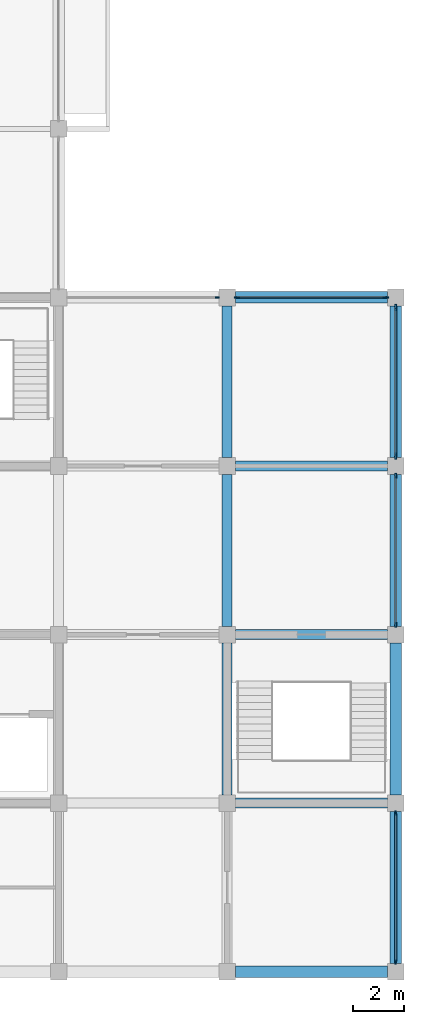
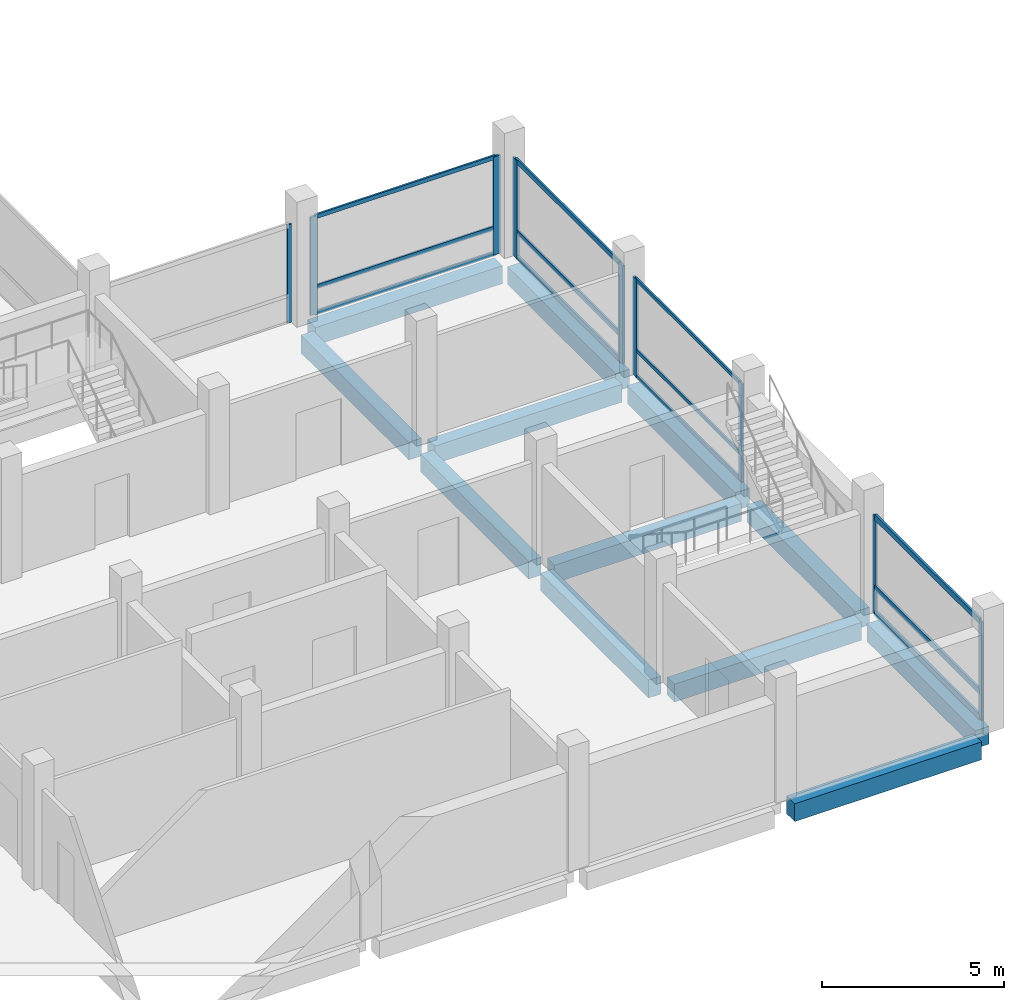
# One storey, part 3 of 11: 21 members, 12 beams, 5 elements without a shape of their own.
"""IFC4 building model written with IfcOpenShell, lengths in metres."""

from ifc_helpers import new_model, si_unit, direction, frame, origin, origin_2d, place, context, subcontext, project, spatial, rectangle, extrude, material, material_profile, profile_set, type_object, element, aggregate, save


model = new_model("IFC4")

# Units and contexts
model_context = context("Model", 3, precision=1e-05, world=origin(), true_north=direction((0.0, 1.0)))
body_context = subcontext(model_context, "Body", "Model", "MODEL_VIEW")
ifc_project = project(units=[si_unit("LENGTHUNIT", "METRE"), si_unit("AREAUNIT", "SQUARE_METRE"), si_unit("VOLUMEUNIT", "CUBIC_METRE"), si_unit("PLANEANGLEUNIT", "RADIAN"), si_unit("MASSUNIT", "GRAM", prefix="KILO")], contexts=[model_context])

# Site, building, storey
site_placement = place(None, origin())
site = spatial("IfcSite", under=ifc_project, at=site_placement, CompositionType="ELEMENT")
building_placement = place(site_placement, origin())
building = spatial("IfcBuilding", under=site, at=building_placement, Name="Rusizi Kubbe Research Institute", CompositionType="ELEMENT")
storey_placement = place(building_placement, frame((0.0, 0.0, 56.39990234375)))
storey = spatial("IfcBuildingStorey", under=building, at=storey_placement, Name="L13", CompositionType="ELEMENT", Elevation=56.39990234375)

# Beams
ifc_material_1 = material(Name="Concrete C40/50", Category="concrete")
ifc_material_profile_1 = material_profile(ifc_material_1, rectangle(XDim=0.39990234375, YDim=0.60009765625, at=origin_2d()), Name="RC400x600")
ifc_profile_set_1 = profile_set([ifc_material_profile_1], Name="Concrete C40/50")
beam_type_1 = type_object("IfcBeamType", Name="BM-RC400x600", PredefinedType="BEAM", material=ifc_profile_set_1)
for number, where, z_axis, x_axis, name in (
    (1, (33.324951171875, 6.60009765625, -0.599853515625), (1.0, 0.0, 0.0), (0.0, 1.0, 0.0), "Grid Beam H L13 (5,1)"),
    (2, (33.324951171875, 13.199951171875, -0.599853515625), (1.0, 0.0, 0.0), (0.0, 1.0, 0.0), "Grid Beam H L13 (5,2)"),
    (3, (33.324951171875, 19.800048828125, -0.599853515625), (1.0, 0.0, 0.0), (0.0, 1.0, 0.0), "Grid Beam H L13 (5,3)"),
    (4, (33.0, 6.925048828125, -0.599853515625), (0.0, 1.0, 0.0), (-1.0, 0.0, 0.0), "Grid Beam V L13 (5,1)"),
):
    element("IfcBeam", number, at=place(storey_placement, frame(where, z_axis=z_axis, x_axis=x_axis)), inside=storey, type_object=beam_type_1, Name=name, PredefinedType="BEAM", context=body_context, shape_type="SweptSolid", body=[
        extrude(rectangle(XDim=0.39990234375, YDim=0.60009765625, at=origin_2d()), origin(), (0.0, 0.0, 1.0), 5.949951171875),
    ])
beam_1_placement = place(storey_placement, frame((33.0, 13.52490234375, -0.599853515625), z_axis=(0.0, 1.0, 0.0), x_axis=(-1.0, 0.0, 0.0)))
element("IfcBeam", 5, at=beam_1_placement, inside=storey, type_object=beam_type_1, Name="Grid Beam V L13 (5,2)", PredefinedType="BEAM", context=body_context, shape_type="SweptSolid", body=[
    extrude(rectangle(XDim=0.39990234375, YDim=0.60009765625, at=origin_2d()), origin(), (0.0, 0.0, 1.0), 5.9501953125),
])
beam_2_placement = place(storey_placement, frame((33.0, 20.125, -0.599853515625), z_axis=(0.0, 1.0, 0.0), x_axis=(-1.0, 0.0, 0.0)))
element("IfcBeam", 6, at=beam_2_placement, inside=storey, type_object=beam_type_1, Name="Grid Beam V L13 (5,3)", PredefinedType="BEAM", context=body_context, shape_type="SweptSolid", body=[
    extrude(rectangle(XDim=0.39990234375, YDim=0.60009765625, at=origin_2d()), origin(), (0.0, 0.0, 1.0), 5.949951171875),
])
ifc_material_2 = material(Name="Concrete C40/50", Category="concrete")
ifc_material_profile_2 = material_profile(ifc_material_2, rectangle(XDim=0.449951171875, YDim=0.60009765625, at=origin_2d()), Name="RC450x600")
ifc_profile_set_2 = profile_set([ifc_material_profile_2], Name="Concrete C40/50")
beam_type_2 = type_object("IfcBeamType", Name="BM-RC450x600", PredefinedType="SPANDREL", material=ifc_profile_set_2)
for number, where, z_axis, x_axis, name in (
    (7, (33.324951171875, 0.0, -0.599853515625), (1.0, 0.0, 0.0), (0.0, 1.0, 0.0), "Grid Beam H L13 (5,0)"),
    (8, (33.324951171875, 26.39990234375, -0.599853515625), (1.0, 0.0, 0.0), (0.0, 1.0, 0.0), "Grid Beam H L13 (5,4)"),
    (9, (39.60009765625, 0.324951171875, -0.599853515625), (0.0, 1.0, 0.0), (-1.0, 0.0, 0.0), "Grid Beam V L13 (6,0)"),
    (10, (39.60009765625, 6.925048828125, -0.599853515625), (0.0, 1.0, 0.0), (-1.0, 0.0, 0.0), "Grid Beam V L13 (6,1)"),
):
    element("IfcBeam", number, at=place(storey_placement, frame(where, z_axis=z_axis, x_axis=x_axis)), inside=storey, type_object=beam_type_2, Name=name, PredefinedType="SPANDREL", context=body_context, shape_type="SweptSolid", body=[
        extrude(rectangle(XDim=0.449951171875, YDim=0.60009765625, at=origin_2d()), origin(), (0.0, 0.0, 1.0), 5.949951171875),
    ])
beam_3_placement = place(storey_placement, frame((39.60009765625, 13.52490234375, -0.599853515625), z_axis=(0.0, 1.0, 0.0), x_axis=(-1.0, 0.0, 0.0)))
element("IfcBeam", 11, at=beam_3_placement, inside=storey, type_object=beam_type_2, Name="Grid Beam V L13 (6,2)", PredefinedType="SPANDREL", context=body_context, shape_type="SweptSolid", body=[
    extrude(rectangle(XDim=0.449951171875, YDim=0.60009765625, at=origin_2d()), origin(), (0.0, 0.0, 1.0), 5.9501953125),
])
beam_4_placement = place(storey_placement, frame((39.60009765625, 20.125, -0.599853515625), z_axis=(0.0, 1.0, 0.0), x_axis=(-1.0, 0.0, 0.0)))
element("IfcBeam", 12, at=beam_4_placement, inside=storey, type_object=beam_type_2, Name="Grid Beam V L13 (6,3)", PredefinedType="SPANDREL", context=body_context, shape_type="SweptSolid", body=[
    extrude(rectangle(XDim=0.449951171875, YDim=0.60009765625, at=origin_2d()), origin(), (0.0, 0.0, 1.0), 5.949951171875),
])

# Curtain wall, member
ifc_material_3 = material(Name="Thermally Broken Aluminium and Low-E Glazing", Category="aluminium")
curtain_wall_type_1 = type_object("IfcCurtainWallType", Name="CW-15", PredefinedType="NOTDEFINED", material=ifc_material_3)
curtain_wall_1_placement = place(storey_placement, origin())
curtain_wall_1 = element("IfcCurtainWall", 13, at=curtain_wall_1_placement, inside=storey, type_object=curtain_wall_type_1, Name="Unitised Facade Curtain Wall CW-L13-H-04-04", PredefinedType="NOTDEFINED")
ifc_material_4 = material(Name="Aluminium Alloy 6063-T6", Category="aluminium")
ifc_material_profile_3 = material_profile(ifc_material_4, rectangle(XDim=0.06005859375, YDim=0.14990234375, at=origin_2d()), Name="ALU-M 60x150")
ifc_profile_set_3 = profile_set([ifc_material_profile_3], Name="Aluminium Alloy 6063-T6")
member_type_1 = type_object("IfcMemberType", Name="ML-01", PredefinedType="MULLION", material=ifc_profile_set_3)
member_1_placement = place(storey_placement, frame((32.614990234375, 26.39990234375, 0.0), z_axis=(0.0, 0.0, 1.0), x_axis=(0.0, 1.0, 0.0)))
member_1 = element("IfcMember", 14, at=member_1_placement, type_object=member_type_1, Name="CW-15 mullion 2", PredefinedType="MULLION", context=body_context, shape_type="SweptSolid", body=[
    extrude(rectangle(XDim=0.06005859375, YDim=0.14990234375, at=origin_2d()), origin(), (0.0, 0.0, 1.0), 3.300048828125),
])
aggregate(curtain_wall_1, [member_1])

# Curtain wall, members
ifc_material_5 = material(Name="Thermally Broken Aluminium and Low-E Glazing", Category="aluminium")
curtain_wall_type_2 = type_object("IfcCurtainWallType", Name="CW-14", PredefinedType="NOTDEFINED", material=ifc_material_5)
curtain_wall_2_placement = place(storey_placement, origin())
curtain_wall_2 = element("IfcCurtainWall", 15, at=curtain_wall_2_placement, inside=storey, type_object=curtain_wall_type_2, Name="Unitised Facade Curtain Wall CW-L13-V-06-00", PredefinedType="NOTDEFINED")
ifc_material_6 = material(Name="Aluminium Alloy 6063-T6", Category="aluminium")
ifc_material_profile_4 = material_profile(ifc_material_6, rectangle(XDim=0.06005859375, YDim=0.179931640625, at=origin_2d()), Name="ALU-M 60x180")
ifc_profile_set_4 = profile_set([ifc_material_profile_4], Name="Aluminium Alloy 6063-T6")
member_type_2 = type_object("IfcMemberType", Name="ML-02", PredefinedType="MULLION", material=ifc_profile_set_4)
member_2_placement = place(storey_placement, frame((39.60009765625, 0.385009765625, 0.0), z_axis=(0.0, 0.0, 1.0), x_axis=(-1.0, 0.0, 0.0)))
member_2 = element("IfcMember", 16, at=member_2_placement, type_object=member_type_2, Name="CW-14 mullion 1", PredefinedType="MULLION", context=body_context, shape_type="SweptSolid", body=[
    extrude(rectangle(XDim=0.06005859375, YDim=0.179931640625, at=origin_2d()), origin(), (0.0, 0.0, 1.0), 3.300048828125),
])
member_3_placement = place(storey_placement, frame((39.60009765625, 6.215087890625, 0.0), z_axis=(0.0, 0.0, 1.0), x_axis=(-1.0, 0.0, 0.0)))
member_3 = element("IfcMember", 17, at=member_3_placement, type_object=member_type_2, Name="CW-14 mullion 2", PredefinedType="MULLION", context=body_context, shape_type="SweptSolid", body=[
    extrude(rectangle(XDim=0.06005859375, YDim=0.179931640625, at=origin_2d()), origin(), (0.0, 0.0, 1.0), 3.300048828125),
])

curtain_wall_3_placement = place(storey_placement, origin())
curtain_wall_3 = element("IfcCurtainWall", 18, at=curtain_wall_3_placement, inside=storey, type_object=curtain_wall_type_1, Name="Unitised Facade Curtain Wall CW-L13-V-06-02", PredefinedType="NOTDEFINED")
ifc_material_7 = material(Name="Aluminium Alloy 6063-T6", Category="aluminium")
ifc_material_profile_5 = material_profile(ifc_material_7, rectangle(XDim=0.06494140625, YDim=0.199951171875, at=origin_2d()), Name="ALU-M 65x200")
ifc_profile_set_5 = profile_set([ifc_material_profile_5], Name="Aluminium Alloy 6063-T6")
member_type_3 = type_object("IfcMemberType", Name="ML-03", PredefinedType="MULLION", material=ifc_profile_set_5)
member_4_placement = place(storey_placement, frame((39.60009765625, 13.58740234375, 0.0), z_axis=(0.0, 0.0, 1.0), x_axis=(-1.0, 0.0, 0.0)))
member_4 = element("IfcMember", 19, at=member_4_placement, type_object=member_type_3, Name="CW-15 mullion 1", PredefinedType="MULLION", context=body_context, shape_type="SweptSolid", body=[
    extrude(rectangle(XDim=0.06494140625, YDim=0.199951171875, at=origin_2d()), origin(), (0.0, 0.0, 1.0), 3.300048828125),
])
member_5_placement = place(storey_placement, frame((39.60009765625, 19.41259765625, 0.0), z_axis=(0.0, 0.0, 1.0), x_axis=(-1.0, 0.0, 0.0)))
member_5 = element("IfcMember", 20, at=member_5_placement, type_object=member_type_3, Name="CW-15 mullion 2", PredefinedType="MULLION", context=body_context, shape_type="SweptSolid", body=[
    extrude(rectangle(XDim=0.06494140625, YDim=0.199951171875, at=origin_2d()), origin(), (0.0, 0.0, 1.0), 3.300048828125),
])

curtain_wall_4_placement = place(storey_placement, origin())
curtain_wall_4 = element("IfcCurtainWall", 21, at=curtain_wall_4_placement, inside=storey, type_object=curtain_wall_type_2, Name="Unitised Facade Curtain Wall CW-L13-H-05-04", PredefinedType="NOTDEFINED")
ifc_material_8 = material(Name="Aluminium Alloy 6063-T6", Category="aluminium")
ifc_material_profile_6 = material_profile(ifc_material_8, rectangle(XDim=0.070068359375, YDim=0.219970703125, at=origin_2d()), Name="ALU-M 70x220")
ifc_profile_set_6 = profile_set([ifc_material_profile_6], Name="Aluminium Alloy 6063-T6")
member_type_4 = type_object("IfcMemberType", Name="ML-04", PredefinedType="MULLION", material=ifc_profile_set_6)
member_6_placement = place(storey_placement, frame((33.389892578125, 26.39990234375, 0.0), z_axis=(0.0, 0.0, 1.0), x_axis=(0.0, 1.0, 0.0)))
member_6 = element("IfcMember", 22, at=member_6_placement, type_object=member_type_4, Name="CW-14 mullion 1", PredefinedType="MULLION", context=body_context, shape_type="SweptSolid", body=[
    extrude(rectangle(XDim=0.070068359375, YDim=0.219970703125, at=origin_2d()), origin(), (0.0, 0.0, 1.0), 3.300048828125),
])
member_7_placement = place(storey_placement, frame((39.2099609375, 26.39990234375, 0.0), z_axis=(0.0, 0.0, 1.0), x_axis=(0.0, 1.0, 0.0)))
member_7 = element("IfcMember", 23, at=member_7_placement, type_object=member_type_4, Name="CW-14 mullion 2", PredefinedType="MULLION", context=body_context, shape_type="SweptSolid", body=[
    extrude(rectangle(XDim=0.070068359375, YDim=0.219970703125, at=origin_2d()), origin(), (0.0, 0.0, 1.0), 3.300048828125),
])

curtain_wall_5_placement = place(storey_placement, origin())
curtain_wall_5 = element("IfcCurtainWall", 24, at=curtain_wall_5_placement, inside=storey, type_object=curtain_wall_type_1, Name="Unitised Facade Curtain Wall CW-L13-V-06-03", PredefinedType="NOTDEFINED")
ifc_material_9 = material(Name="Aluminium Alloy 6063-T6", Category="aluminium")
ifc_material_profile_7 = material_profile(ifc_material_9, rectangle(XDim=0.074951171875, YDim=0.25, at=origin_2d()), Name="ALU-M 75x250")
ifc_profile_set_7 = profile_set([ifc_material_profile_7], Name="Aluminium Alloy 6063-T6")
member_type_5 = type_object("IfcMemberType", Name="ML-05", PredefinedType="MULLION", material=ifc_profile_set_7)
member_8_placement = place(storey_placement, frame((39.60009765625, 20.1923828125, 0.0), z_axis=(0.0, 0.0, 1.0), x_axis=(-1.0, 0.0, 0.0)))
member_8 = element("IfcMember", 25, at=member_8_placement, type_object=member_type_5, Name="CW-15 mullion 1", PredefinedType="MULLION", context=body_context, shape_type="SweptSolid", body=[
    extrude(rectangle(XDim=0.074951171875, YDim=0.25, at=origin_2d()), origin(), (0.0, 0.0, 1.0), 3.300048828125),
])
member_9_placement = place(storey_placement, frame((39.60009765625, 26.007568359375, 0.0), z_axis=(0.0, 0.0, 1.0), x_axis=(-1.0, 0.0, 0.0)))
member_9 = element("IfcMember", 26, at=member_9_placement, type_object=member_type_5, Name="CW-15 mullion 2", PredefinedType="MULLION", context=body_context, shape_type="SweptSolid", body=[
    extrude(rectangle(XDim=0.074951171875, YDim=0.25, at=origin_2d()), origin(), (0.0, 0.0, 1.0), 3.300048828125),
])

# Member
ifc_material_10 = material(Name="Aluminium Alloy 6063-T6", Category="aluminium")
ifc_material_profile_8 = material_profile(ifc_material_10, rectangle(XDim=0.06005859375, YDim=0.1201171875, at=origin_2d()), Name="ALU-T 60x120")
ifc_profile_set_8 = profile_set([ifc_material_profile_8], Name="Aluminium Alloy 6063-T6")
member_type_6 = type_object("IfcMemberType", Name="TR-01", PredefinedType="USERDEFINED", material=ifc_profile_set_8)
member_10_placement = place(storey_placement, frame((39.60009765625, 13.6201171875, 0.030029296875), z_axis=(0.0, 1.0, 0.0), x_axis=(-1.0, 0.0, 0.0)))
member_10 = element("IfcMember", 27, at=member_10_placement, type_object=member_type_6, Name="CW-15 transom 1.1", ObjectType="TRANSOM", PredefinedType="USERDEFINED", context=body_context, shape_type="SweptSolid", body=[
    extrude(rectangle(XDim=0.06005859375, YDim=0.1201171875, at=origin_2d()), origin(), (0.0, 0.0, 1.0), 5.759765625),
])

member_11_placement = place(storey_placement, frame((39.60009765625, 13.6201171875, 0.900146484375), z_axis=(0.0, 1.0, 0.0), x_axis=(-1.0, 0.0, 0.0)))
member_11 = element("IfcMember", 28, at=member_11_placement, type_object=member_type_6, Name="CW-15 transom 1.2", ObjectType="TRANSOM", PredefinedType="USERDEFINED", context=body_context, shape_type="SweptSolid", body=[
    extrude(rectangle(XDim=0.06005859375, YDim=0.1201171875, at=origin_2d()), origin(), (0.0, 0.0, 1.0), 5.759765625),
])

member_12_placement = place(storey_placement, frame((39.60009765625, 13.6201171875, 3.27001953125), z_axis=(0.0, 1.0, 0.0), x_axis=(-1.0, 0.0, 0.0)))
member_12 = element("IfcMember", 29, at=member_12_placement, type_object=member_type_6, Name="CW-15 transom 1.3", ObjectType="TRANSOM", PredefinedType="USERDEFINED", context=body_context, shape_type="SweptSolid", body=[
    extrude(rectangle(XDim=0.06005859375, YDim=0.1201171875, at=origin_2d()), origin(), (0.0, 0.0, 1.0), 5.759765625),
])

aggregate(curtain_wall_3, [member_4, member_5, member_10, member_11, member_12])

ifc_material_11 = material(Name="Aluminium Alloy 6063-T6", Category="aluminium")
ifc_material_profile_9 = material_profile(ifc_material_11, rectangle(XDim=0.06005859375, YDim=0.139892578125, at=origin_2d()), Name="ALU-T 60x140")
ifc_profile_set_9 = profile_set([ifc_material_profile_9], Name="Aluminium Alloy 6063-T6")
member_type_7 = type_object("IfcMemberType", Name="TR-02", PredefinedType="USERDEFINED", material=ifc_profile_set_9)
member_13_placement = place(storey_placement, frame((33.425048828125, 26.39990234375, 0.030029296875), z_axis=(1.0, 0.0, 0.0), x_axis=(0.0, 1.0, 0.0)))
member_13 = element("IfcMember", 30, at=member_13_placement, type_object=member_type_7, Name="CW-14 transom 1.1", ObjectType="TRANSOM", PredefinedType="USERDEFINED", context=body_context, shape_type="SweptSolid", body=[
    extrude(rectangle(XDim=0.06005859375, YDim=0.139892578125, at=origin_2d()), origin(), (0.0, 0.0, 1.0), 5.75),
])

member_14_placement = place(storey_placement, frame((33.425048828125, 26.39990234375, 0.900146484375), z_axis=(1.0, 0.0, 0.0), x_axis=(0.0, 1.0, 0.0)))
member_14 = element("IfcMember", 31, at=member_14_placement, type_object=member_type_7, Name="CW-14 transom 1.2", ObjectType="TRANSOM", PredefinedType="USERDEFINED", context=body_context, shape_type="SweptSolid", body=[
    extrude(rectangle(XDim=0.06005859375, YDim=0.139892578125, at=origin_2d()), origin(), (0.0, 0.0, 1.0), 5.75),
])

member_15_placement = place(storey_placement, frame((33.425048828125, 26.39990234375, 3.27001953125), z_axis=(1.0, 0.0, 0.0), x_axis=(0.0, 1.0, 0.0)))
member_15 = element("IfcMember", 32, at=member_15_placement, type_object=member_type_7, Name="CW-14 transom 1.3", ObjectType="TRANSOM", PredefinedType="USERDEFINED", context=body_context, shape_type="SweptSolid", body=[
    extrude(rectangle(XDim=0.06005859375, YDim=0.139892578125, at=origin_2d()), origin(), (0.0, 0.0, 1.0), 5.75),
])

aggregate(curtain_wall_4, [member_6, member_7, member_13, member_14, member_15])

ifc_material_12 = material(Name="Aluminium Alloy 6063-T6", Category="aluminium")
ifc_material_profile_10 = material_profile(ifc_material_12, rectangle(XDim=0.06494140625, YDim=0.159912109375, at=origin_2d()), Name="ALU-T 65x160")
ifc_profile_set_10 = profile_set([ifc_material_profile_10], Name="Aluminium Alloy 6063-T6")
member_type_8 = type_object("IfcMemberType", Name="TR-03", PredefinedType="USERDEFINED", material=ifc_profile_set_10)
member_16_placement = place(storey_placement, frame((39.60009765625, 20.22998046875, 0.03271484375), z_axis=(0.0, 1.0, 0.0), x_axis=(-1.0, 0.0, 0.0)))
member_16 = element("IfcMember", 33, at=member_16_placement, type_object=member_type_8, Name="CW-15 transom 1.1", ObjectType="TRANSOM", PredefinedType="USERDEFINED", context=body_context, shape_type="SweptSolid", body=[
    extrude(rectangle(XDim=0.06494140625, YDim=0.159912109375, at=origin_2d()), origin(), (0.0, 0.0, 1.0), 5.739990234375),
])

member_17_placement = place(storey_placement, frame((39.60009765625, 20.22998046875, 0.900146484375), z_axis=(0.0, 1.0, 0.0), x_axis=(-1.0, 0.0, 0.0)))
member_17 = element("IfcMember", 34, at=member_17_placement, type_object=member_type_8, Name="CW-15 transom 1.2", ObjectType="TRANSOM", PredefinedType="USERDEFINED", context=body_context, shape_type="SweptSolid", body=[
    extrude(rectangle(XDim=0.06494140625, YDim=0.159912109375, at=origin_2d()), origin(), (0.0, 0.0, 1.0), 5.739990234375),
])

member_18_placement = place(storey_placement, frame((39.60009765625, 20.22998046875, 3.267578125), z_axis=(0.0, 1.0, 0.0), x_axis=(-1.0, 0.0, 0.0)))
member_18 = element("IfcMember", 35, at=member_18_placement, type_object=member_type_8, Name="CW-15 transom 1.3", ObjectType="TRANSOM", PredefinedType="USERDEFINED", context=body_context, shape_type="SweptSolid", body=[
    extrude(rectangle(XDim=0.06494140625, YDim=0.159912109375, at=origin_2d()), origin(), (0.0, 0.0, 1.0), 5.739990234375),
])

aggregate(curtain_wall_5, [member_8, member_9, member_16, member_17, member_18])

ifc_material_13 = material(Name="Aluminium Alloy 6063-T6", Category="aluminium")
ifc_material_profile_11 = material_profile(ifc_material_13, rectangle(XDim=0.070068359375, YDim=0.18994140625, at=origin_2d()), Name="ALU-T 70x190")
ifc_profile_set_11 = profile_set([ifc_material_profile_11], Name="Aluminium Alloy 6063-T6")
member_type_9 = type_object("IfcMemberType", Name="TR-04", PredefinedType="USERDEFINED", material=ifc_profile_set_11)
member_19_placement = place(storey_placement, frame((39.60009765625, 0.4150390625, 0.03515625), z_axis=(0.0, 1.0, 0.0), x_axis=(-1.0, 0.0, 0.0)))
member_19 = element("IfcMember", 36, at=member_19_placement, type_object=member_type_9, Name="CW-14 transom 1.1", ObjectType="TRANSOM", PredefinedType="USERDEFINED", context=body_context, shape_type="SweptSolid", body=[
    extrude(rectangle(XDim=0.070068359375, YDim=0.18994140625, at=origin_2d()), origin(), (0.0, 0.0, 1.0), 5.77001953125),
])

member_20_placement = place(storey_placement, frame((39.60009765625, 0.4150390625, 0.900146484375), z_axis=(0.0, 1.0, 0.0), x_axis=(-1.0, 0.0, 0.0)))
member_20 = element("IfcMember", 37, at=member_20_placement, type_object=member_type_9, Name="CW-14 transom 1.2", ObjectType="TRANSOM", PredefinedType="USERDEFINED", context=body_context, shape_type="SweptSolid", body=[
    extrude(rectangle(XDim=0.070068359375, YDim=0.18994140625, at=origin_2d()), origin(), (0.0, 0.0, 1.0), 5.77001953125),
])

member_21_placement = place(storey_placement, frame((39.60009765625, 0.4150390625, 3.26513671875), z_axis=(0.0, 1.0, 0.0), x_axis=(-1.0, 0.0, 0.0)))
member_21 = element("IfcMember", 38, at=member_21_placement, type_object=member_type_9, Name="CW-14 transom 1.3", ObjectType="TRANSOM", PredefinedType="USERDEFINED", context=body_context, shape_type="SweptSolid", body=[
    extrude(rectangle(XDim=0.070068359375, YDim=0.18994140625, at=origin_2d()), origin(), (0.0, 0.0, 1.0), 5.77001953125),
])

aggregate(curtain_wall_2, [member_2, member_3, member_19, member_20, member_21])

save(model, "model.ifc")
